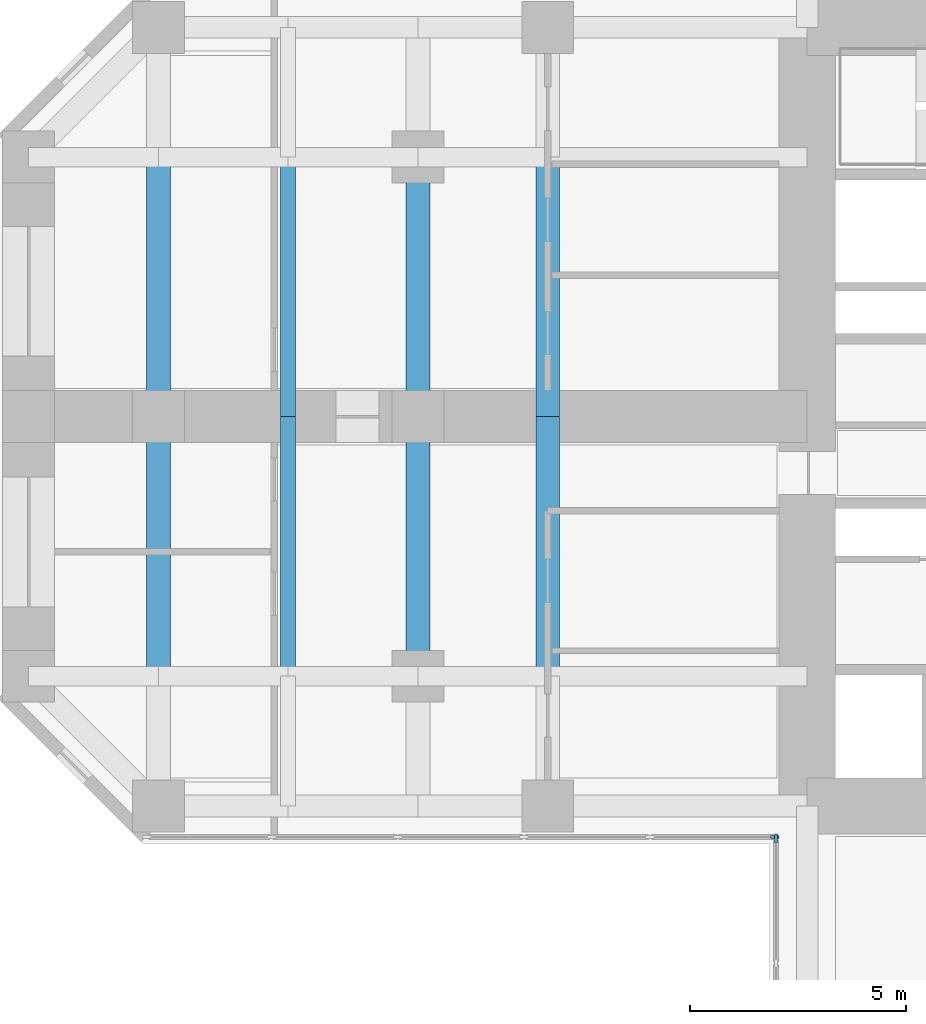
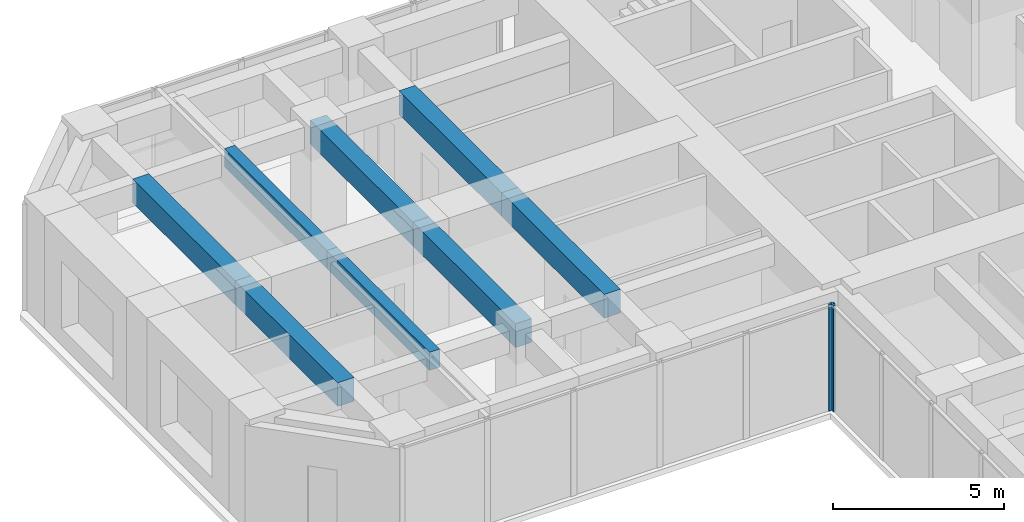
# One storey, part 3 of 13: 8 beams, 2 members, 2 elements without a shape of their own.
"""IFC4 building model written with IfcOpenShell, lengths in metres."""

from ifc_helpers import new_model, si_unit, direction, frame, origin, origin_2d, place, context, subcontext, project, spatial, rectangle, extrude, material, material_profile, profile_set, type_object, element, aggregate, save


model = new_model("IFC4")

# Units and contexts
model_context = context("Model", 3, precision=1e-05, world=origin(), true_north=direction((0.0, 1.0)))
body_context = subcontext(model_context, "Body", "Model", "MODEL_VIEW")
ifc_project = project(units=[si_unit("LENGTHUNIT", "METRE"), si_unit("AREAUNIT", "SQUARE_METRE"), si_unit("VOLUMEUNIT", "CUBIC_METRE"), si_unit("PLANEANGLEUNIT", "RADIAN"), si_unit("MASSUNIT", "GRAM", prefix="KILO")], contexts=[model_context])

# Site, building, storey
site_placement = place(None, origin())
site = spatial("IfcSite", under=ifc_project, at=site_placement, CompositionType="ELEMENT")
building_placement = place(site_placement, origin())
building = spatial("IfcBuilding", under=site, at=building_placement, Name="Torre Cruceta", CompositionType="ELEMENT")
storey_placement = place(building_placement, frame((0.0, 0.0, 51.5)))
storey = spatial("IfcBuildingStorey", under=building, at=storey_placement, Name="L12", CompositionType="ELEMENT", Elevation=51.5)

# Beams
ifc_material_1 = material(Name="Concrete G60 (fck 60 MPa)", Category="concrete")
ifc_material_profile_1 = material_profile(ifc_material_1, rectangle(XDim=0.550048828125, YDim=0.85009765625, at=origin_2d()), Name="RC 550X850")
ifc_profile_set_1 = profile_set([ifc_material_profile_1], Name="Concrete G60 (fck 60 MPa)")
beam_type_1 = type_object("IfcBeamType", Name="CROSS BEAM RC 550X850", PredefinedType="BEAM", material=ifc_profile_set_1)
for number, where, z_axis, x_axis, name in (
    (1, (-15.0, 6.0, 3.375), (0.0, -1.0, 0.0), (1.0, 0.0, 0.0), "GB4 L12 W cross15 2"),
    (2, (-15.0, 0.0, 3.375), (0.0, -1.0, 0.0), (1.0, 0.0, 0.0), "GB4 L12 W cross15 3"),
    (3, (-18.0, 6.0, 3.375), (0.0, -1.0, 0.0), (1.0, 0.0, 0.0), "GB4 L12 W cross18 2"),
    (4, (-18.0, 0.0, 3.375), (0.0, -1.0, 0.0), (1.0, 0.0, 0.0), "GB4 L12 W cross18 3"),
    (5, (-24.0, 6.0, 3.375), (0.0, -1.0, 0.0), (1.0, 0.0, 0.0), "GB4 L12 W cross24 2"),
    (6, (-24.0, 0.0, 3.375), (0.0, -1.0, 0.0), (1.0, 0.0, 0.0), "GB4 L12 W cross24 3"),
):
    element("IfcBeam", number, at=place(storey_placement, frame(where, z_axis=z_axis, x_axis=x_axis)), inside=storey, type_object=beam_type_1, Name=name, PredefinedType="BEAM", context=body_context, shape_type="SweptSolid", body=[
        extrude(rectangle(XDim=0.550048828125, YDim=0.85009765625, at=origin_2d()), origin(), (0.0, 0.0, 1.0), 6.0),
    ])

# Curtain wall, member
ifc_material_2 = material(Name="Aluminium unitised curtain wall", Category="aluminium")
curtain_wall_type = type_object("IfcCurtainWallType", Name="CURTAIN WALL CW-A OFFICE LOW RISE", PredefinedType="USERDEFINED", material=ifc_material_2)
curtain_wall_1_placement = place(storey_placement, origin())
curtain_wall_1 = element("IfcCurtainWall", 7, at=curtain_wall_1_placement, inside=storey, type_object=curtain_wall_type, Name="CW-A L12 W side 14", ObjectType="UNITISED", PredefinedType="USERDEFINED")
ifc_material_3 = material(Name="Aluminium mullion", Category="aluminium")
ifc_material_profile_2 = material_profile(ifc_material_3, rectangle(XDim=0.06494140625, YDim=0.199951171875, at=origin_2d()), Name="AL 65X200")
ifc_profile_set_2 = profile_set([ifc_material_profile_2], Name="Aluminium mullion")
member_type = type_object("IfcMemberType", Name="CW-A MULLION 65X200", PredefinedType="MULLION", material=ifc_profile_set_2)
member_1_placement = place(storey_placement, frame((-9.75244140625, -9.719970703125, 0.0), z_axis=(0.0, 0.0, 1.0), x_axis=(0.0, 1.0, 0.0)))
member_1 = element("IfcMember", 8, at=member_1_placement, type_object=member_type, Name="CW-A mullion 6", PredefinedType="MULLION", context=body_context, shape_type="SweptSolid", body=[
    extrude(rectangle(XDim=0.06494140625, YDim=0.199951171875, at=origin_2d()), origin(), (0.0, 0.0, 1.0), 3.800048828125),
])
aggregate(curtain_wall_1, [member_1])

curtain_wall_2_placement = place(storey_placement, origin())
curtain_wall_2 = element("IfcCurtainWall", 9, at=curtain_wall_2_placement, inside=storey, type_object=curtain_wall_type, Name="CW-A L12 S side 15", ObjectType="UNITISED", PredefinedType="USERDEFINED")
member_2_placement = place(storey_placement, frame((-9.719970703125, -9.75244140625, 0.0), z_axis=(0.0, 0.0, 1.0), x_axis=(1.0, 0.0, 0.0)))
member_2 = element("IfcMember", 10, at=member_2_placement, type_object=member_type, Name="CW-A mullion 1", PredefinedType="MULLION", context=body_context, shape_type="SweptSolid", body=[
    extrude(rectangle(XDim=0.06494140625, YDim=0.199951171875, at=origin_2d()), origin(), (0.0, 0.0, 1.0), 3.800048828125),
])
aggregate(curtain_wall_2, [member_2])

# Beams
ifc_material_4 = material(Name="Concrete G60 (fck 60 MPa)", Category="concrete")
ifc_material_profile_3 = material_profile(ifc_material_4, rectangle(XDim=0.35009765625, YDim=0.64990234375, at=origin_2d()), Name="RC 350X650")
ifc_profile_set_3 = profile_set([ifc_material_profile_3], Name="Concrete G60 (fck 60 MPa)")
beam_type_2 = type_object("IfcBeamType", Name="SECONDARY BEAM RC 350X650", PredefinedType="JOIST", material=ifc_profile_set_3)
for number, where, z_axis, x_axis, name in (
    (11, (-21.0, 6.0, 3.47509765625), (0.0, -1.0, 0.0), (1.0, 0.0, 0.0), "JB3 L12 W sec21 2"),
    (12, (-21.0, 0.0, 3.47509765625), (0.0, -1.0, 0.0), (1.0, 0.0, 0.0), "JB3 L12 W sec21 3"),
):
    element("IfcBeam", number, at=place(storey_placement, frame(where, z_axis=z_axis, x_axis=x_axis)), inside=storey, type_object=beam_type_2, Name=name, PredefinedType="JOIST", context=body_context, shape_type="SweptSolid", body=[
        extrude(rectangle(XDim=0.35009765625, YDim=0.64990234375, at=origin_2d()), origin(), (0.0, 0.0, 1.0), 6.0),
    ])

save(model, "model.ifc")
